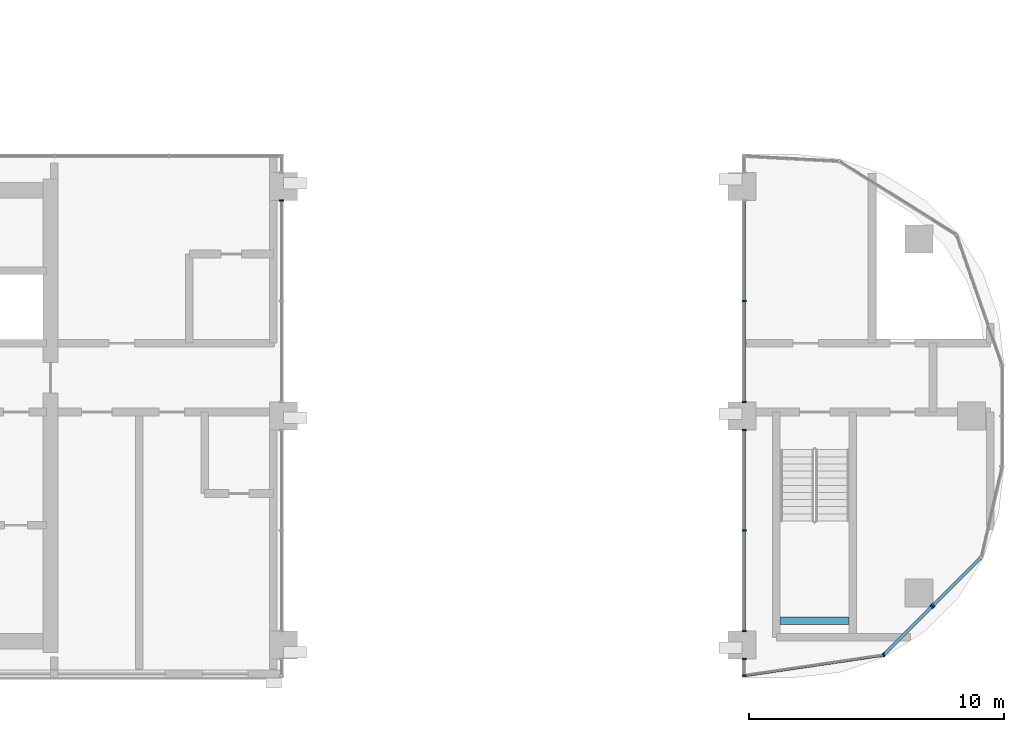
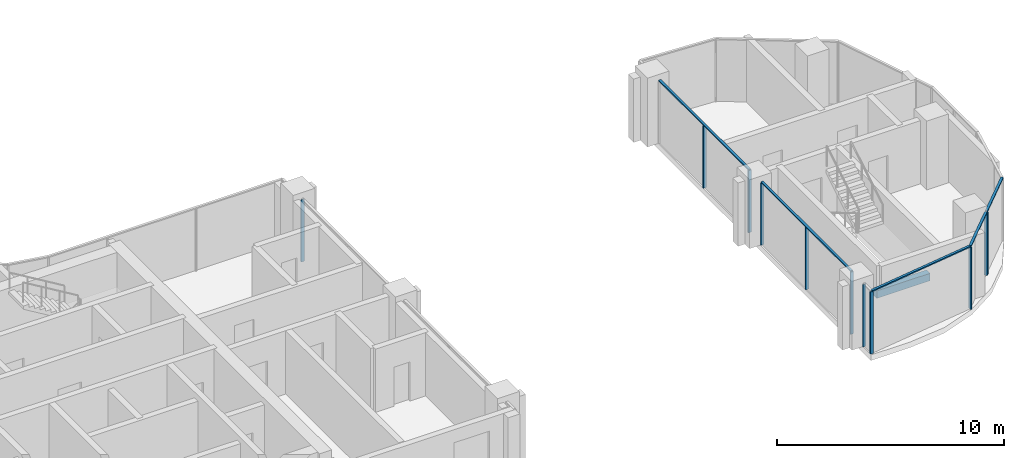
# One storey, part 3 of 23: 16 members, 1 beam, 6 elements without a shape of their own.
"""IFC4 building model written with IfcOpenShell, lengths in metres."""

from ifc_helpers import new_model, si_unit, direction, frame, origin, origin_2d, place, context, subcontext, project, spatial, rectangle, extrude, material, material_profile, profile_set, type_object, element, aggregate, save


model = new_model("IFC4")

# Units and contexts
model_context = context("Model", 3, precision=1e-05, world=origin(), true_north=direction((0.0, 1.0)))
body_context = subcontext(model_context, "Body", "Model", "MODEL_VIEW")
ifc_project = project(units=[si_unit("LENGTHUNIT", "METRE"), si_unit("AREAUNIT", "SQUARE_METRE"), si_unit("VOLUMEUNIT", "CUBIC_METRE"), si_unit("PLANEANGLEUNIT", "RADIAN"), si_unit("MASSUNIT", "GRAM", prefix="KILO")], contexts=[model_context])

# Site, building, storey
site_placement = place(None, origin())
site = spatial("IfcSite", under=ifc_project, at=site_placement, CompositionType="ELEMENT")
building_placement = place(site_placement, origin())
building = spatial("IfcBuilding", under=site, at=building_placement, Name="Ogive Portal Towers", CompositionType="ELEMENT")
storey_placement = place(building_placement, frame((0.0, 0.0, 168.10009765625)))
storey = spatial("IfcBuildingStorey", under=building, at=storey_placement, Name="L41", CompositionType="ELEMENT", Elevation=168.10009765625)

# Beam
ifc_material_1 = material(Name="Concrete C40/50", Category="concrete")
ifc_material_profile_1 = material_profile(ifc_material_1, rectangle(XDim=0.300048828125, YDim=0.39990234375, at=origin_2d()), Name="RC 300x400")
ifc_profile_set_1 = profile_set([ifc_material_profile_1], Name="Concrete C40/50")
beam_type = type_object("IfcBeamType", Name="BEAM RC 300x400", PredefinedType="BEAM", material=ifc_profile_set_1)
beam_placement = place(storey_placement, frame((87.0, 22.449951171875, 1.449951171875), z_axis=(1.0, 0.0, 0.0), x_axis=(0.0, 1.0, 0.0)))
element("IfcBeam", 1, at=beam_placement, inside=storey, type_object=beam_type, Name="Landing beam L41", PredefinedType="BEAM", context=body_context, shape_type="SweptSolid", body=[
    extrude(rectangle(XDim=0.300048828125, YDim=0.39990234375, at=origin_2d()), origin(), (0.0, 0.0, 1.0), 2.699951171875),
])

# Curtain wall, member
ifc_material_2 = material(Name="Glass, clear low-iron insulated glazing", Category="glass")
curtain_wall_type_1 = type_object("IfcCurtainWallType", Name="CW PORTAL REVEAL", PredefinedType="NOTDEFINED", material=ifc_material_2)
curtain_wall_1_placement = place(storey_placement, origin())
curtain_wall_1 = element("IfcCurtainWall", 2, at=curtain_wall_1_placement, inside=storey, type_object=curtain_wall_type_1, Name="A:L41:f06:cw0~2", PredefinedType="NOTDEFINED")
ifc_material_3 = material(Name="Aluminium 6063 anodised", Category="aluminium")
ifc_material_profile_2 = material_profile(ifc_material_3, rectangle(XDim=0.159912109375, YDim=0.06005859375, at=origin_2d()), Name="AL 60x160")
ifc_profile_set_2 = profile_set([ifc_material_profile_2], Name="Aluminium 6063 anodised")
member_type_1 = type_object("IfcMemberType", Name="CW MULLION 60x160", PredefinedType="MULLION", material=ifc_profile_set_2)
member_1_placement = place(storey_placement, frame((67.419921875, 38.949951171875, 0.0), z_axis=(0.0, 0.0, 1.0), x_axis=(-1.0, 0.0, 0.0)))
member_1 = element("IfcMember", 3, at=member_1_placement, type_object=member_type_1, Name="mullion", PredefinedType="MULLION", context=body_context, shape_type="SweptSolid", body=[
    extrude(rectangle(XDim=0.159912109375, YDim=0.06005859375, at=origin_2d()), origin(), (0.0, 0.0, 1.0), 3.33984375),
])
aggregate(curtain_wall_1, [member_1])

# Curtain wall, members
curtain_wall_2_placement = place(storey_placement, origin())
curtain_wall_2 = element("IfcCurtainWall", 4, at=curtain_wall_2_placement, inside=storey, type_object=curtain_wall_type_1, Name="A:L41:f22:cw0~1", PredefinedType="NOTDEFINED")
member_2_placement = place(storey_placement, frame((85.580078125, 35.0, 0.0), z_axis=(0.0, 0.0, 1.0), x_axis=(1.0, 0.0, 0.0)))
member_2 = element("IfcMember", 5, at=member_2_placement, type_object=member_type_1, Name="mullion", PredefinedType="MULLION", context=body_context, shape_type="SweptSolid", body=[
    extrude(rectangle(XDim=0.159912109375, YDim=0.06005859375, at=origin_2d()), origin(), (0.0, 0.0, 1.0), 3.33984375),
])
member_3_placement = place(storey_placement, frame((85.580078125, 31.050048828125, 0.0), z_axis=(0.0, 0.0, 1.0), x_axis=(1.0, 0.0, 0.0)))
member_3 = element("IfcMember", 6, at=member_3_placement, type_object=member_type_1, Name="mullion", PredefinedType="MULLION", context=body_context, shape_type="SweptSolid", body=[
    extrude(rectangle(XDim=0.159912109375, YDim=0.06005859375, at=origin_2d()), origin(), (0.0, 0.0, 1.0), 3.33984375),
])

curtain_wall_3_placement = place(storey_placement, origin())
curtain_wall_3 = element("IfcCurtainWall", 7, at=curtain_wall_3_placement, inside=storey, type_object=curtain_wall_type_1, Name="A:L41:f22:cw0~2", PredefinedType="NOTDEFINED")
member_4_placement = place(storey_placement, frame((85.580078125, 29.949951171875, 0.0), z_axis=(0.0, 0.0, 1.0), x_axis=(1.0, 0.0, 0.0)))
member_4 = element("IfcMember", 8, at=member_4_placement, type_object=member_type_1, Name="mullion", PredefinedType="MULLION", context=body_context, shape_type="SweptSolid", body=[
    extrude(rectangle(XDim=0.159912109375, YDim=0.06005859375, at=origin_2d()), origin(), (0.0, 0.0, 1.0), 3.33984375),
])
member_5_placement = place(storey_placement, frame((85.580078125, 26.0, 0.0), z_axis=(0.0, 0.0, 1.0), x_axis=(1.0, 0.0, 0.0)))
member_5 = element("IfcMember", 9, at=member_5_placement, type_object=member_type_1, Name="mullion", PredefinedType="MULLION", context=body_context, shape_type="SweptSolid", body=[
    extrude(rectangle(XDim=0.159912109375, YDim=0.06005859375, at=origin_2d()), origin(), (0.0, 0.0, 1.0), 3.33984375),
])
member_6_placement = place(storey_placement, frame((85.580078125, 22.050048828125, 0.0), z_axis=(0.0, 0.0, 1.0), x_axis=(1.0, 0.0, 0.0)))
member_6 = element("IfcMember", 10, at=member_6_placement, type_object=member_type_1, Name="mullion", PredefinedType="MULLION", context=body_context, shape_type="SweptSolid", body=[
    extrude(rectangle(XDim=0.159912109375, YDim=0.06005859375, at=origin_2d()), origin(), (0.0, 0.0, 1.0), 3.33984375),
])

curtain_wall_4_placement = place(storey_placement, origin())
curtain_wall_4 = element("IfcCurtainWall", 11, at=curtain_wall_4_placement, inside=storey, type_object=curtain_wall_type_1, Name="A:L41:f22:cw0~3", PredefinedType="NOTDEFINED")
member_7_placement = place(storey_placement, frame((85.580078125, 20.949951171875, 0.0), z_axis=(0.0, 0.0, 1.0), x_axis=(1.0, 0.0, 0.0)))
member_7 = element("IfcMember", 12, at=member_7_placement, type_object=member_type_1, Name="mullion", PredefinedType="MULLION", context=body_context, shape_type="SweptSolid", body=[
    extrude(rectangle(XDim=0.159912109375, YDim=0.06005859375, at=origin_2d()), origin(), (0.0, 0.0, 1.0), 3.33984375),
])
member_8_placement = place(storey_placement, frame((85.580078125, 20.3076171875, 0.0), z_axis=(0.0, 0.0, 1.0), x_axis=(1.0, 0.0, 0.0)))
member_8 = element("IfcMember", 13, at=member_8_placement, type_object=member_type_1, Name="mullion", PredefinedType="MULLION", context=body_context, shape_type="SweptSolid", body=[
    extrude(rectangle(XDim=0.159912109375, YDim=0.06005859375, at=origin_2d()), origin(), (0.0, 0.0, 1.0), 3.33984375),
])
aggregate(curtain_wall_4, [member_7, member_8])

curtain_wall_type_2 = type_object("IfcCurtainWallType", Name="CW FRONT RIBBON 4500", PredefinedType="NOTDEFINED", material=ifc_material_2)
curtain_wall_5_placement = place(storey_placement, origin())
curtain_wall_5 = element("IfcCurtainWall", 14, at=curtain_wall_5_placement, inside=storey, type_object=curtain_wall_type_2, Name="A:L41:f23:cwa~0", PredefinedType="NOTDEFINED")
member_9_placement = place(storey_placement, frame((91.056884765625, 21.11083984375, 0.0), z_axis=(0.0, 0.0, 1.0), x_axis=(-0.145099125939, 0.989417123185, 0.0)))
member_9 = element("IfcMember", 15, at=member_9_placement, type_object=member_type_1, Name="mullion", PredefinedType="MULLION", context=body_context, shape_type="SweptSolid", body=[
    extrude(rectangle(XDim=0.159912109375, YDim=0.06005859375, at=origin_2d()), origin(), (0.0, 0.0, 1.0), 3.33984375),
])
member_10_placement = place(storey_placement, frame((92.946044921875, 23.0, 0.0), z_axis=(0.0, 0.0, 1.0), x_axis=(-0.707106781187, 0.707106781187, 0.0)))
member_10 = element("IfcMember", 16, at=member_10_placement, type_object=member_type_1, Name="mullion", PredefinedType="MULLION", context=body_context, shape_type="SweptSolid", body=[
    extrude(rectangle(XDim=0.159912109375, YDim=0.06005859375, at=origin_2d()), origin(), (0.0, 0.0, 1.0), 3.33984375),
])

# Curtain wall, member
curtain_wall_6_placement = place(storey_placement, origin())
curtain_wall_6 = element("IfcCurtainWall", 17, at=curtain_wall_6_placement, inside=storey, type_object=curtain_wall_type_2, Name="A:L41:f23:cwa~1", PredefinedType="NOTDEFINED")
member_11_placement = place(storey_placement, frame((93.0, 23.053955078125, 0.0), z_axis=(0.0, 0.0, 1.0), x_axis=(-0.707106781187, 0.707106781187, 0.0)))
member_11 = element("IfcMember", 18, at=member_11_placement, type_object=member_type_1, Name="mullion", PredefinedType="MULLION", context=body_context, shape_type="SweptSolid", body=[
    extrude(rectangle(XDim=0.159912109375, YDim=0.06005859375, at=origin_2d()), origin(), (0.0, 0.0, 1.0), 3.33984375),
])

# Member
ifc_material_profile_3 = material_profile(ifc_material_3, rectangle(XDim=0.1201171875, YDim=0.06005859375, at=origin_2d()), Name="AL 120x60")
ifc_profile_set_3 = profile_set([ifc_material_profile_3], Name="Aluminium 6063 anodised")
member_type_2 = type_object("IfcMemberType", Name="CW TRANSOM 60x120", PredefinedType="USERDEFINED", material=ifc_profile_set_3)
member_12_placement = place(storey_placement, frame((85.580078125, 38.949951171875, 3.369873046875), z_axis=(0.0, -1.0, 0.0), x_axis=(1.0, 0.0, 0.0)))
member_12 = element("IfcMember", 19, at=member_12_placement, type_object=member_type_2, Name="transom", ObjectType="TRANSOM", PredefinedType="USERDEFINED", context=body_context, shape_type="SweptSolid", body=[
    extrude(rectangle(XDim=0.1201171875, YDim=0.06005859375, at=origin_2d()), origin(), (0.0, 0.0, 1.0), 7.89990234375),
])

aggregate(curtain_wall_2, [member_12, member_2, member_3])

member_13_placement = place(storey_placement, frame((85.580078125, 29.949951171875, 3.369873046875), z_axis=(0.0, -1.0, 0.0), x_axis=(1.0, 0.0, 0.0)))
member_13 = element("IfcMember", 20, at=member_13_placement, type_object=member_type_2, Name="transom", ObjectType="TRANSOM", PredefinedType="USERDEFINED", context=body_context, shape_type="SweptSolid", body=[
    extrude(rectangle(XDim=0.1201171875, YDim=0.06005859375, at=origin_2d()), origin(), (0.0, 0.0, 1.0), 7.89990234375),
])

aggregate(curtain_wall_3, [member_13, member_4, member_5, member_6])

member_14_placement = place(storey_placement, frame((85.580078125, 20.3076171875, 3.369873046875), z_axis=(0.989416011901, 0.145106703479, 0.0), x_axis=(-0.145106703479, 0.989416011901, 0.0)))
member_14 = element("IfcMember", 21, at=member_14_placement, type_object=member_type_2, Name="transom", ObjectType="TRANSOM", PredefinedType="USERDEFINED", context=body_context, shape_type="SweptSolid", body=[
    extrude(rectangle(XDim=0.1201171875, YDim=0.06005859375, at=origin_2d()), origin(), (0.0, 0.0, 1.0), 5.535400390625),
])

member_15_placement = place(storey_placement, frame((91.056884765625, 21.11083984375, 3.369873046875), z_axis=(0.707106781187, 0.707106781187, 0.0), x_axis=(-0.707106781187, 0.707106781187, 0.0)))
member_15 = element("IfcMember", 22, at=member_15_placement, type_object=member_type_2, Name="transom", ObjectType="TRANSOM", PredefinedType="USERDEFINED", context=body_context, shape_type="SweptSolid", body=[
    extrude(rectangle(XDim=0.1201171875, YDim=0.06005859375, at=origin_2d()), origin(), (0.0, 0.0, 1.0), 2.671630859375),
])

aggregate(curtain_wall_5, [member_14, member_15, member_9, member_10])

member_16_placement = place(storey_placement, frame((93.0, 23.053955078125, 3.369873046875), z_axis=(0.707106781187, 0.707106781187, 0.0), x_axis=(-0.707106781187, 0.707106781187, 0.0)))
member_16 = element("IfcMember", 23, at=member_16_placement, type_object=member_type_2, Name="transom", ObjectType="TRANSOM", PredefinedType="USERDEFINED", context=body_context, shape_type="SweptSolid", body=[
    extrude(rectangle(XDim=0.1201171875, YDim=0.06005859375, at=origin_2d()), origin(), (0.0, 0.0, 1.0), 2.675048828125),
])

aggregate(curtain_wall_6, [member_16, member_11])

save(model, "model.ifc")
